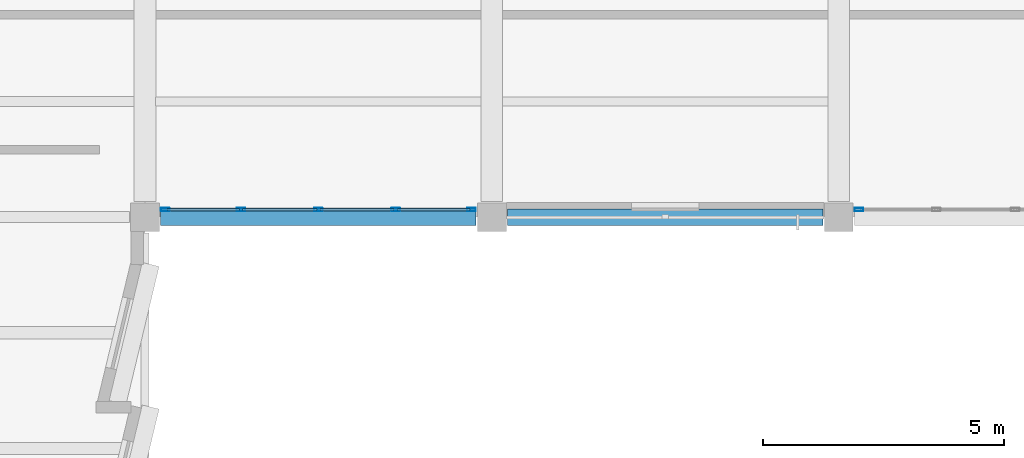
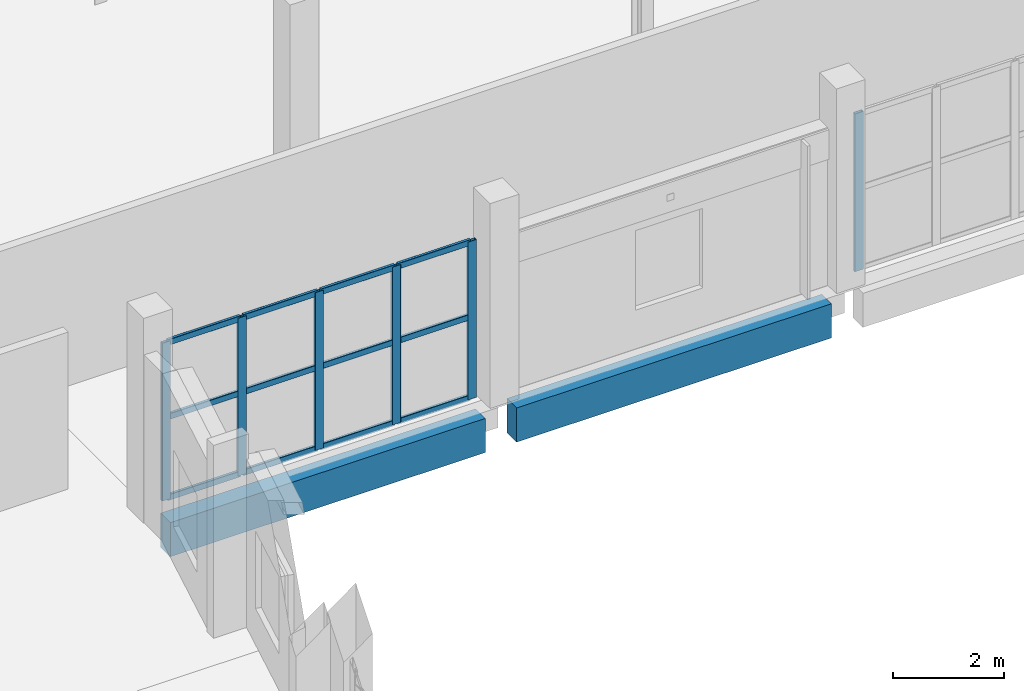
# One storey, part 48 of 123: 18 members, 2 beams, 2 elements without a shape of their own.
"""IFC4 building model written with IfcOpenShell, lengths in metres."""

import ifcopenshell
import ifcopenshell.guid

model = None  # the IFC model being written
_history = None  # IfcOwnerHistory: only IFC2X3 demands one
_inside = {}  # id of a spatial element -> (the spatial element, [elements in it])
_under = {}  # id of a project, library or spatial element -> (it, [spatial elements below it])
_declared = {}  # id of a project -> (the project, [libraries it declares])
_typed = {}  # id of a type object -> (the type object, [elements of that type])
_made_of = {}  # id of a material, layer set ... -> (it, [elements and type objects made of it])


def new_model(schema):
    """Start an empty IFC model of exactly this schema.

    Asked for "IFC4X3", IfcOpenShell would pick the latest addendum, in which some entities
    have other attributes; the version numbers below select the first issue.
    IFC2X3 requires an IfcOwnerHistory on every rooted entity: one is made here for all.
    """
    global model, _history
    if schema == "IFC4X3":
        model = ifcopenshell.file(schema_version=(4, 3, 0, 0))
    else:
        model = ifcopenshell.file(schema=schema)
    _inside.clear()
    _under.clear()
    _declared.clear()
    _typed.clear()
    _made_of.clear()
    _history = None
    if model.schema == "IFC2X3":
        org = make("IfcOrganization", Name="unknown")
        user = make(
            "IfcPersonAndOrganization",
            ThePerson=make("IfcPerson", FamilyName="unknown"),
            TheOrganization=org,
        )
        app = make(
            "IfcApplication",
            ApplicationDeveloper=org,
            Version="unknown",
            ApplicationFullName="unknown",
            ApplicationIdentifier="unknown",
        )
        _history = make(
            "IfcOwnerHistory",
            OwningUser=user,
            OwningApplication=app,
            ChangeAction="ADDED",
            CreationDate=0,
        )
    return model


def make(cls, **values):
    """One entity of the class cls with the attributes given. An attribute that is None is left unset."""
    return model.create_entity(
        cls, **{name: value for name, value in values.items() if value is not None}
    )


def rooted(cls, **values):
    """An entity with a GlobalId (a new one), such as an element, a storey or a relation."""
    return make(cls, GlobalId=ifcopenshell.guid.new(), OwnerHistory=_history, **values)


def si_unit(unit_type, name, prefix=None):
    """IfcSIUnit, for example si_unit("LENGTHUNIT", "METRE", prefix="MILLI")."""
    return make("IfcSIUnit", UnitType=unit_type, Prefix=prefix, Name=name)


def assignment(units):
    """IfcUnitAssignment: the units of a project."""
    return None if units is None else make("IfcUnitAssignment", Units=units)


def point(xyz):
    """IfcCartesianPoint."""
    return None if xyz is None else make("IfcCartesianPoint", Coordinates=xyz)


def direction(xyz):
    """IfcDirection."""
    return None if xyz is None else make("IfcDirection", DirectionRatios=xyz)


def frame(location, z_axis=None, x_axis=None):
    """IfcAxis2Placement3D, a coordinate frame: its origin and axes. An axis left out is left unset."""
    return make(
        "IfcAxis2Placement3D",
        Location=point(location),
        Axis=direction(z_axis),
        RefDirection=direction(x_axis),
    )


def frame_2d(location, x_axis=None):
    """IfcAxis2Placement2D, a coordinate frame in the plane: its origin and x axis."""
    return make(
        "IfcAxis2Placement2D", Location=point(location), RefDirection=direction(x_axis)
    )


def origin():
    """The frame at (0, 0, 0) with its axes left unset."""
    return frame((0.0, 0.0, 0.0))


def origin_2d():
    """The frame at (0, 0) in the plane with its x axis left unset."""
    return frame_2d((0.0, 0.0))


def place(relative_to, where):
    """IfcLocalPlacement: puts the frame where relative to a parent placement (None: the world)."""
    return make(
        "IfcLocalPlacement", PlacementRelTo=relative_to, RelativePlacement=where
    )


def context(
    kind, dimensions, precision=None, world=None, true_north=None, identifier=None
):
    """IfcGeometricRepresentationContext, for example the 3D "Model" context."""
    return make(
        "IfcGeometricRepresentationContext",
        ContextIdentifier=identifier,
        ContextType=kind,
        CoordinateSpaceDimension=dimensions,
        Precision=precision,
        WorldCoordinateSystem=world,
        TrueNorth=true_north,
    )


def subcontext(parent, identifier, kind, view, scale=None):
    """IfcGeometricRepresentationSubContext, for example "Body" below "Model"."""
    return make(
        "IfcGeometricRepresentationSubContext",
        ContextIdentifier=identifier,
        ContextType=kind,
        ParentContext=parent,
        TargetScale=scale,
        TargetView=view,
    )


def project(units=None, contexts=None):
    """IfcProject with its units and contexts."""
    return rooted(
        "IfcProject",
        Name="project",
        RepresentationContexts=contexts,
        UnitsInContext=assignment(units),
    )


def spatial(cls, under=None, at=None, **own):
    """A site, building, storey or space (cls), placed at a placement, below another one or the project."""
    s = rooted(cls, ObjectPlacement=at, **own)
    if under is not None:
        _under.setdefault(under.id(), (under, []))[1].append(s)
    return s


def profile(cls, at=None, kind="AREA", **sizes):
    """A parametric profile (cls). Its sizes go by their IFC names, for example OverallWidth=200.0."""
    return make(cls, ProfileType=kind, Position=at, **sizes)


def rectangle(**sizes):
    """IfcRectangleProfileDef."""
    return profile("IfcRectangleProfileDef", **sizes)


def hollow_rectangle(**sizes):
    """IfcRectangleHollowProfileDef."""
    return profile("IfcRectangleHollowProfileDef", **sizes)


def extrude(swept, where, along, depth):
    """IfcExtrudedAreaSolid: the profile swept, set in the frame where, extruded along a direction by depth."""
    return make(
        "IfcExtrudedAreaSolid",
        SweptArea=swept,
        Position=where,
        ExtrudedDirection=direction(along),
        Depth=depth,
    )


def shape(context_of_items, identifier, shape_type, items):
    """IfcShapeRepresentation: the items that make up one representation, for example the "Body"."""
    return make(
        "IfcShapeRepresentation",
        ContextOfItems=context_of_items,
        RepresentationIdentifier=identifier,
        RepresentationType=shape_type,
        Items=items,
    )


def material(Name=None, Category=None):
    """IfcMaterial."""
    return make("IfcMaterial", Name=Name, Category=Category)


def material_profile(
    of_material, cross_section, Name=None, Category=None, Priority=None
):
    """IfcMaterialProfile: a cross section and its material."""
    return make(
        "IfcMaterialProfile",
        Name=Name,
        Material=of_material,
        Profile=cross_section,
        Priority=Priority,
        Category=Category,
    )


def profile_set(profiles, Name=None, composite=None):
    """IfcMaterialProfileSet."""
    return make(
        "IfcMaterialProfileSet",
        Name=Name,
        MaterialProfiles=profiles,
        CompositeProfile=composite,
    )


def made_of(thing, what):
    """Note that an element or type object is made of a material, layer set ...; save() writes the relation."""
    if what is not None:
        _made_of.setdefault(what.id(), (what, []))[1].append(thing)
    return thing


def type_object(cls, material=None, **own):
    """A type object (cls), such as IfcWallType, which elements share."""
    return made_of(rooted(cls, **own), material)


def element(
    cls,
    number,
    at=None,
    inside=None,
    cuts=None,
    type_object=None,
    material=None,
    context=None,
    identifier="Body",
    shape_type=None,
    held_by="IfcProductDefinitionShape",
    body=None,
    shapes=None,
    **own,
):
    """One element of the class cls, such as IfcWall. Its Tag is "e" and its number.

    at: its placement. inside: the storey or other place that contains it. cuts: it is an
    opening in that element (IfcRelVoidsElement). A single representation is given by context,
    identifier, shape_type and body (its items); several are given by shapes. held_by: the class
    of the entity that holds the representations. save() writes the other relations.
    """
    e = rooted(cls, Tag="e%d" % number, ObjectPlacement=at, **own)
    if body is not None:
        shapes = [shape(context, identifier, shape_type, body)]
    if shapes is not None:
        e.Representation = make(held_by, Representations=shapes)
    if inside is not None:
        _inside.setdefault(inside.id(), (inside, []))[1].append(e)
    if cuts is not None:
        rooted(
            "IfcRelVoidsElement", RelatingBuildingElement=cuts, RelatedOpeningElement=e
        )
    if type_object is not None:
        _typed.setdefault(type_object.id(), (type_object, []))[1].append(e)
    return made_of(e, material)


def aggregate(whole, parts):
    """IfcRelAggregates: a whole, such as a stair, and the parts it consists of."""
    return rooted("IfcRelAggregates", RelatingObject=whole, RelatedObjects=parts)


def save(model, path):
    """Write the relations noted so far, then the file.

    IfcRelAggregates (storeys below a building ...), IfcRelContainedInSpatialStructure (elements
    in a storey), IfcRelDefinesByType, IfcRelAssociatesMaterial and IfcRelDeclares: one each for
    every whole, place, type object, material and project.
    """
    for whole, parts in _under.values():
        aggregate(whole, parts)
    for where, things in _inside.values():
        rooted(
            "IfcRelContainedInSpatialStructure",
            RelatedElements=things,
            RelatingStructure=where,
        )
    for kind, things in _typed.values():
        rooted("IfcRelDefinesByType", RelatedObjects=things, RelatingType=kind)
    for what, things in _made_of.values():
        rooted("IfcRelAssociatesMaterial", RelatedObjects=things, RelatingMaterial=what)
    for by, libraries in _declared.values():
        rooted("IfcRelDeclares", RelatingContext=by, RelatedDefinitions=libraries)
    model.write(path)


model = new_model("IFC4")

# Units and contexts
model_context = context("Model", 3, precision=1e-05, world=origin(), true_north=direction((0.0, 1.0)))
body_context = subcontext(model_context, "Body", "Model", "MODEL_VIEW")
ifc_project = project(units=[si_unit("LENGTHUNIT", "METRE"), si_unit("AREAUNIT", "SQUARE_METRE"), si_unit("VOLUMEUNIT", "CUBIC_METRE"), si_unit("PLANEANGLEUNIT", "RADIAN"), si_unit("MASSUNIT", "GRAM", prefix="KILO")], contexts=[model_context])

# Site, building, storey
site_placement = place(None, origin())
site = spatial("IfcSite", under=ifc_project, at=site_placement, CompositionType="ELEMENT")
building_placement = place(site_placement, origin())
building = spatial("IfcBuilding", under=site, at=building_placement, Name="Kalmorath City Hall", CompositionType="ELEMENT")
storey_placement = place(building_placement, frame((0.0, 0.0, 10.199951171875)))
storey = spatial("IfcBuildingStorey", under=building, at=storey_placement, Name="L02", CompositionType="ELEMENT", Elevation=10.199951171875)

# Curtain wall, member
ifc_material_1 = material(Name="Anodised aluminium and laminated glass", Category="aluminium")
curtain_wall_type_1 = type_object("IfcCurtainWallType", Name="Unitised hurricane curtain wall 6543x3471 M1750", PredefinedType="NOTDEFINED", material=ifc_material_1)
curtain_wall_1_placement = place(storey_placement, origin())
curtain_wall_1 = element("IfcCurtainWall", 1, at=curtain_wall_1_placement, inside=storey, type_object=curtain_wall_type_1, Name="L02 curtain wall CW-65X35M18 #137", PredefinedType="NOTDEFINED")
ifc_material_2 = material(Name="Anodised aluminium framing", Category="aluminium")
ifc_material_profile_1 = material_profile(ifc_material_2, hollow_rectangle(XDim=0.06494140625, YDim=0.179931640625, WallThickness=0.00390625, InnerFilletRadius=0.00390625, OuterFilletRadius=0.008056640625, at=origin_2d()), Name="ALU-MUL-180X65X4")
ifc_profile_set_1 = profile_set([ifc_material_profile_1], Name="Anodised aluminium framing")
member_type_1 = type_object("IfcMemberType", Name="Curtain-wall courtyard mullion 180x65", PredefinedType="MULLION", material=ifc_profile_set_1)
member_1_placement = place(storey_placement, frame((43.62255859375, 93.760009765625, 0.0), z_axis=(0.0, 0.0, 1.0), x_axis=(0.0, -1.0, 0.0)))
member_1 = element("IfcMember", 2, at=member_1_placement, type_object=member_type_1, Name="CW-65X35M18 mullion 5", PredefinedType="MULLION", context=body_context, shape_type="SweptSolid", body=[
    extrude(hollow_rectangle(XDim=0.06494140625, YDim=0.179931640625, WallThickness=0.00390625, InnerFilletRadius=0.00390625, OuterFilletRadius=0.008056640625, at=origin_2d()), origin(), (0.0, 0.0, 1.0), 3.470947265625),
])
aggregate(curtain_wall_1, [member_1])

# Curtain wall, members
ifc_material_3 = material(Name="Anodised aluminium and laminated glass", Category="aluminium")
curtain_wall_type_2 = type_object("IfcCurtainWallType", Name="Unitised hurricane curtain wall 6420x3471 M1750", PredefinedType="NOTDEFINED", material=ifc_material_3)
curtain_wall_2_placement = place(storey_placement, origin())
curtain_wall_2 = element("IfcCurtainWall", 3, at=curtain_wall_2_placement, inside=storey, type_object=curtain_wall_type_2, Name="L02 curtain wall CW-64X35M18 #138", PredefinedType="NOTDEFINED")
member_2_placement = place(storey_placement, frame((35.577392578125, 93.760009765625, 0.0), z_axis=(0.0, 0.0, 1.0), x_axis=(0.0, -1.0, 0.0)))
member_2 = element("IfcMember", 4, at=member_2_placement, type_object=member_type_1, Name="CW-64X35M18 mullion 1", PredefinedType="MULLION", context=body_context, shape_type="SweptSolid", body=[
    extrude(hollow_rectangle(XDim=0.06494140625, YDim=0.179931640625, WallThickness=0.00390625, InnerFilletRadius=0.00390625, OuterFilletRadius=0.008056640625, at=origin_2d()), origin(), (0.0, 0.0, 1.0), 3.470947265625),
])
member_3_placement = place(storey_placement, frame((34.0048828125, 93.760009765625, 0.0), z_axis=(0.0, 0.0, 1.0), x_axis=(0.0, -1.0, 0.0)))
member_3 = element("IfcMember", 5, at=member_3_placement, type_object=member_type_1, Name="CW-64X35M18 mullion 2", PredefinedType="MULLION", context=body_context, shape_type="SweptSolid", body=[
    extrude(hollow_rectangle(XDim=0.06494140625, YDim=0.179931640625, WallThickness=0.00390625, InnerFilletRadius=0.00390625, OuterFilletRadius=0.008056640625, at=origin_2d()), origin(), (0.0, 0.0, 1.0), 3.470947265625),
])
member_4_placement = place(storey_placement, frame((32.39990234375, 93.760009765625, 0.0), z_axis=(0.0, 0.0, 1.0), x_axis=(0.0, -1.0, 0.0)))
member_4 = element("IfcMember", 6, at=member_4_placement, type_object=member_type_1, Name="CW-64X35M18 mullion 3", PredefinedType="MULLION", context=body_context, shape_type="SweptSolid", body=[
    extrude(hollow_rectangle(XDim=0.06494140625, YDim=0.179931640625, WallThickness=0.00390625, InnerFilletRadius=0.00390625, OuterFilletRadius=0.008056640625, at=origin_2d()), origin(), (0.0, 0.0, 1.0), 3.470947265625),
])
member_5_placement = place(storey_placement, frame((30.794921875, 93.760009765625, 0.0), z_axis=(0.0, 0.0, 1.0), x_axis=(0.0, -1.0, 0.0)))
member_5 = element("IfcMember", 7, at=member_5_placement, type_object=member_type_1, Name="CW-64X35M18 mullion 4", PredefinedType="MULLION", context=body_context, shape_type="SweptSolid", body=[
    extrude(hollow_rectangle(XDim=0.06494140625, YDim=0.179931640625, WallThickness=0.00390625, InnerFilletRadius=0.00390625, OuterFilletRadius=0.008056640625, at=origin_2d()), origin(), (0.0, 0.0, 1.0), 3.470947265625),
])
member_6_placement = place(storey_placement, frame((29.222412109375, 93.760009765625, 0.0), z_axis=(0.0, 0.0, 1.0), x_axis=(0.0, -1.0, 0.0)))
member_6 = element("IfcMember", 8, at=member_6_placement, type_object=member_type_1, Name="CW-64X35M18 mullion 5", PredefinedType="MULLION", context=body_context, shape_type="SweptSolid", body=[
    extrude(hollow_rectangle(XDim=0.06494140625, YDim=0.179931640625, WallThickness=0.00390625, InnerFilletRadius=0.00390625, OuterFilletRadius=0.008056640625, at=origin_2d()), origin(), (0.0, 0.0, 1.0), 3.470947265625),
])
ifc_material_4 = material(Name="Anodised aluminium framing", Category="aluminium")
ifc_material_profile_2 = material_profile(ifc_material_4, hollow_rectangle(XDim=0.06005859375, YDim=0.1298828125, WallThickness=0.00341796875, InnerFilletRadius=0.00341796875, OuterFilletRadius=0.007080078125, at=origin_2d()), Name="ALU-TRN-130X60X3.5")
ifc_profile_set_2 = profile_set([ifc_material_profile_2], Name="Anodised aluminium framing")
member_type_2 = type_object("IfcMemberType", Name="Curtain-wall courtyard transom 130x60", PredefinedType="USERDEFINED", material=ifc_profile_set_2)
member_7_placement = place(storey_placement, frame((35.544921875, 93.760009765625, 0.030029296875), z_axis=(-1.0, 0.0, 0.0), x_axis=(0.0, -1.0, 0.0)))
member_7 = element("IfcMember", 9, at=member_7_placement, type_object=member_type_2, Name="CW-64X35M18 transom 1.1", ObjectType="TRANSOM", PredefinedType="USERDEFINED", context=body_context, shape_type="SweptSolid", body=[
    extrude(hollow_rectangle(XDim=0.06005859375, YDim=0.1298828125, WallThickness=0.00341796875, InnerFilletRadius=0.00341796875, OuterFilletRadius=0.007080078125, at=origin_2d()), origin(), (0.0, 0.0, 1.0), 1.50732421875),
])
member_8_placement = place(storey_placement, frame((35.544921875, 93.760009765625, 1.804931640625), z_axis=(-1.0, 0.0, 0.0), x_axis=(0.0, -1.0, 0.0)))
member_8 = element("IfcMember", 10, at=member_8_placement, type_object=member_type_2, Name="CW-64X35M18 transom 1.2", ObjectType="TRANSOM", PredefinedType="USERDEFINED", context=body_context, shape_type="SweptSolid", body=[
    extrude(hollow_rectangle(XDim=0.06005859375, YDim=0.1298828125, WallThickness=0.00341796875, InnerFilletRadius=0.00341796875, OuterFilletRadius=0.007080078125, at=origin_2d()), origin(), (0.0, 0.0, 1.0), 1.50732421875),
])
member_9_placement = place(storey_placement, frame((35.544921875, 93.760009765625, 3.441162109375), z_axis=(-1.0, 0.0, 0.0), x_axis=(0.0, -1.0, 0.0)))
member_9 = element("IfcMember", 11, at=member_9_placement, type_object=member_type_2, Name="CW-64X35M18 transom 1.3", ObjectType="TRANSOM", PredefinedType="USERDEFINED", context=body_context, shape_type="SweptSolid", body=[
    extrude(hollow_rectangle(XDim=0.06005859375, YDim=0.1298828125, WallThickness=0.00341796875, InnerFilletRadius=0.00341796875, OuterFilletRadius=0.007080078125, at=origin_2d()), origin(), (0.0, 0.0, 1.0), 1.50732421875),
])
member_10_placement = place(storey_placement, frame((33.972412109375, 93.760009765625, 0.030029296875), z_axis=(-1.0, 0.0, 0.0), x_axis=(0.0, -1.0, 0.0)))
member_10 = element("IfcMember", 12, at=member_10_placement, type_object=member_type_2, Name="CW-64X35M18 transom 2.1", ObjectType="TRANSOM", PredefinedType="USERDEFINED", context=body_context, shape_type="SweptSolid", body=[
    extrude(hollow_rectangle(XDim=0.06005859375, YDim=0.1298828125, WallThickness=0.00341796875, InnerFilletRadius=0.00341796875, OuterFilletRadius=0.007080078125, at=origin_2d()), origin(), (0.0, 0.0, 1.0), 1.539794921875),
])
member_11_placement = place(storey_placement, frame((33.972412109375, 93.760009765625, 1.804931640625), z_axis=(-1.0, 0.0, 0.0), x_axis=(0.0, -1.0, 0.0)))
member_11 = element("IfcMember", 13, at=member_11_placement, type_object=member_type_2, Name="CW-64X35M18 transom 2.2", ObjectType="TRANSOM", PredefinedType="USERDEFINED", context=body_context, shape_type="SweptSolid", body=[
    extrude(hollow_rectangle(XDim=0.06005859375, YDim=0.1298828125, WallThickness=0.00341796875, InnerFilletRadius=0.00341796875, OuterFilletRadius=0.007080078125, at=origin_2d()), origin(), (0.0, 0.0, 1.0), 1.539794921875),
])
member_12_placement = place(storey_placement, frame((33.972412109375, 93.760009765625, 3.441162109375), z_axis=(-1.0, 0.0, 0.0), x_axis=(0.0, -1.0, 0.0)))
member_12 = element("IfcMember", 14, at=member_12_placement, type_object=member_type_2, Name="CW-64X35M18 transom 2.3", ObjectType="TRANSOM", PredefinedType="USERDEFINED", context=body_context, shape_type="SweptSolid", body=[
    extrude(hollow_rectangle(XDim=0.06005859375, YDim=0.1298828125, WallThickness=0.00341796875, InnerFilletRadius=0.00341796875, OuterFilletRadius=0.007080078125, at=origin_2d()), origin(), (0.0, 0.0, 1.0), 1.539794921875),
])
member_13_placement = place(storey_placement, frame((32.367431640625, 93.760009765625, 0.030029296875), z_axis=(-1.0, 0.0, 0.0), x_axis=(0.0, -1.0, 0.0)))
member_13 = element("IfcMember", 15, at=member_13_placement, type_object=member_type_2, Name="CW-64X35M18 transom 3.1", ObjectType="TRANSOM", PredefinedType="USERDEFINED", context=body_context, shape_type="SweptSolid", body=[
    extrude(hollow_rectangle(XDim=0.06005859375, YDim=0.1298828125, WallThickness=0.00341796875, InnerFilletRadius=0.00341796875, OuterFilletRadius=0.007080078125, at=origin_2d()), origin(), (0.0, 0.0, 1.0), 1.5400390625),
])
member_14_placement = place(storey_placement, frame((32.367431640625, 93.760009765625, 1.804931640625), z_axis=(-1.0, 0.0, 0.0), x_axis=(0.0, -1.0, 0.0)))
member_14 = element("IfcMember", 16, at=member_14_placement, type_object=member_type_2, Name="CW-64X35M18 transom 3.2", ObjectType="TRANSOM", PredefinedType="USERDEFINED", context=body_context, shape_type="SweptSolid", body=[
    extrude(hollow_rectangle(XDim=0.06005859375, YDim=0.1298828125, WallThickness=0.00341796875, InnerFilletRadius=0.00341796875, OuterFilletRadius=0.007080078125, at=origin_2d()), origin(), (0.0, 0.0, 1.0), 1.5400390625),
])
member_15_placement = place(storey_placement, frame((32.367431640625, 93.760009765625, 3.441162109375), z_axis=(-1.0, 0.0, 0.0), x_axis=(0.0, -1.0, 0.0)))
member_15 = element("IfcMember", 17, at=member_15_placement, type_object=member_type_2, Name="CW-64X35M18 transom 3.3", ObjectType="TRANSOM", PredefinedType="USERDEFINED", context=body_context, shape_type="SweptSolid", body=[
    extrude(hollow_rectangle(XDim=0.06005859375, YDim=0.1298828125, WallThickness=0.00341796875, InnerFilletRadius=0.00341796875, OuterFilletRadius=0.007080078125, at=origin_2d()), origin(), (0.0, 0.0, 1.0), 1.5400390625),
])
member_16_placement = place(storey_placement, frame((30.762451171875, 93.760009765625, 0.030029296875), z_axis=(-1.0, 0.0, 0.0), x_axis=(0.0, -1.0, 0.0)))
member_16 = element("IfcMember", 18, at=member_16_placement, type_object=member_type_2, Name="CW-64X35M18 transom 4.1", ObjectType="TRANSOM", PredefinedType="USERDEFINED", context=body_context, shape_type="SweptSolid", body=[
    extrude(hollow_rectangle(XDim=0.06005859375, YDim=0.1298828125, WallThickness=0.00341796875, InnerFilletRadius=0.00341796875, OuterFilletRadius=0.007080078125, at=origin_2d()), origin(), (0.0, 0.0, 1.0), 1.507568359375),
])
member_17_placement = place(storey_placement, frame((30.762451171875, 93.760009765625, 1.804931640625), z_axis=(-1.0, 0.0, 0.0), x_axis=(0.0, -1.0, 0.0)))
member_17 = element("IfcMember", 19, at=member_17_placement, type_object=member_type_2, Name="CW-64X35M18 transom 4.2", ObjectType="TRANSOM", PredefinedType="USERDEFINED", context=body_context, shape_type="SweptSolid", body=[
    extrude(hollow_rectangle(XDim=0.06005859375, YDim=0.1298828125, WallThickness=0.00341796875, InnerFilletRadius=0.00341796875, OuterFilletRadius=0.007080078125, at=origin_2d()), origin(), (0.0, 0.0, 1.0), 1.507568359375),
])
member_18_placement = place(storey_placement, frame((30.762451171875, 93.760009765625, 3.441162109375), z_axis=(-1.0, 0.0, 0.0), x_axis=(0.0, -1.0, 0.0)))
member_18 = element("IfcMember", 20, at=member_18_placement, type_object=member_type_2, Name="CW-64X35M18 transom 4.3", ObjectType="TRANSOM", PredefinedType="USERDEFINED", context=body_context, shape_type="SweptSolid", body=[
    extrude(hollow_rectangle(XDim=0.06005859375, YDim=0.1298828125, WallThickness=0.00341796875, InnerFilletRadius=0.00341796875, OuterFilletRadius=0.007080078125, at=origin_2d()), origin(), (0.0, 0.0, 1.0), 1.507568359375),
])
aggregate(curtain_wall_2, [member_2, member_3, member_4, member_5, member_6, member_7, member_8, member_9, member_10, member_11, member_12, member_13, member_14, member_15, member_16, member_17, member_18])

# Beams
ifc_material_5 = material(Name="Precast concrete C40/50", Category="concrete")
ifc_material_profile_3 = material_profile(ifc_material_5, rectangle(XDim=0.35009765625, YDim=0.75, at=origin_2d()), Name="PC-SP-350X750")
ifc_profile_set_3 = profile_set([ifc_material_profile_3], Name="Precast concrete C40/50")
beam_type = type_object("IfcBeamType", Name="Precast spandrel lintel 350x750", PredefinedType="LINTEL", material=ifc_profile_set_3)
for number, where, z_axis, x_axis, name in (
    (21, (29.125, 93.60009765625, -0.658935546875), (1.0, 0.0, 0.0), (0.0, 1.0, 0.0), "L02 girder PSB1 X5-6/14"),
    (22, (36.324951171875, 93.60009765625, -0.658935546875), (1.0, 0.0, 0.0), (0.0, 1.0, 0.0), "L02 girder PSB1 X6-7/14"),
):
    element("IfcBeam", number, at=place(storey_placement, frame(where, z_axis=z_axis, x_axis=x_axis)), inside=storey, type_object=beam_type, Name=name, PredefinedType="LINTEL", context=body_context, shape_type="SweptSolid", body=[
        extrude(rectangle(XDim=0.35009765625, YDim=0.75, at=origin_2d()), origin(), (0.0, 0.0, 1.0), 6.550048828125),
    ])

save(model, "model.ifc")
